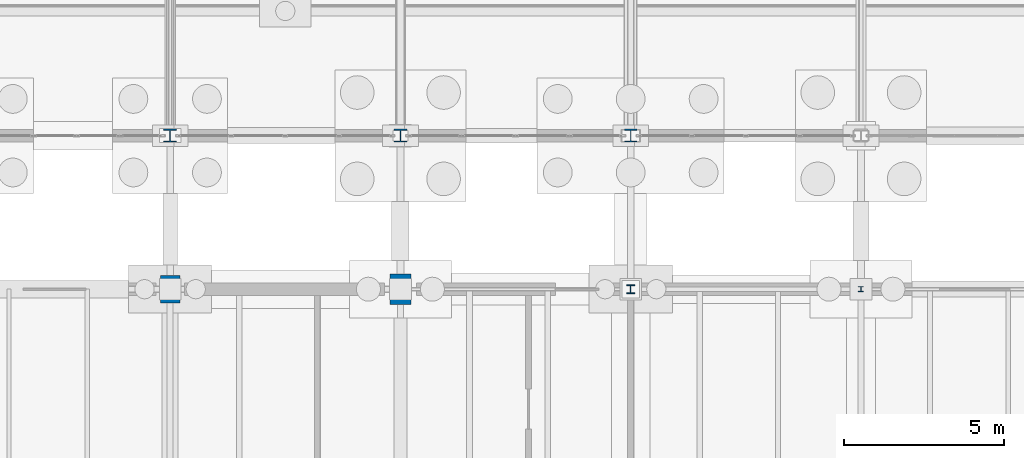
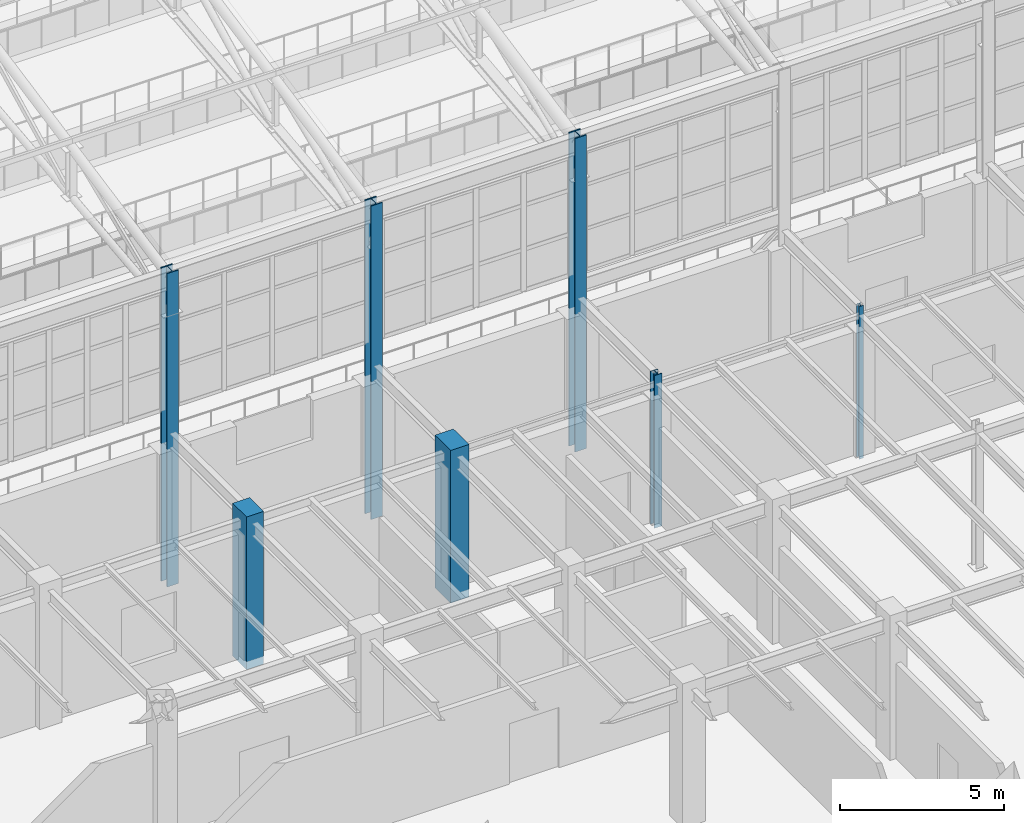
# One storey, part 33 of 293: 7 columns.
"""IFC4 building model written with IfcOpenShell, lengths in metres."""

from ifc_helpers import new_model, si_unit, direction, frame, origin, origin_2d, place, context, subcontext, project, spatial, rectangle, i_section, extrude, material, material_profile, profile_set, type_object, element, save


model = new_model("IFC4")

# Units and contexts
model_context = context("Model", 3, precision=1e-05, world=origin(), true_north=direction((0.0, 1.0)))
body_context = subcontext(model_context, "Body", "Model", "MODEL_VIEW")
ifc_project = project(units=[si_unit("LENGTHUNIT", "METRE"), si_unit("AREAUNIT", "SQUARE_METRE"), si_unit("VOLUMEUNIT", "CUBIC_METRE"), si_unit("PLANEANGLEUNIT", "RADIAN"), si_unit("MASSUNIT", "GRAM", prefix="KILO")], contexts=[model_context])

# Site, building, storey
site_placement = place(None, origin())
site = spatial("IfcSite", under=ifc_project, at=site_placement, CompositionType="ELEMENT")
building_placement = place(site_placement, origin())
building = spatial("IfcBuilding", under=site, at=building_placement, Name="Kemerveld Promenade Tramway Depot", CompositionType="ELEMENT")
storey_placement = place(building_placement, origin())
storey = spatial("IfcBuildingStorey", under=building, at=storey_placement, Name="L00", CompositionType="ELEMENT", Elevation=0.0)

# Columns
ifc_material_1 = material(Name="Concrete C40/50", Category="concrete")
ifc_material_profile_1 = material_profile(ifc_material_1, rectangle(XDim=0.60009765625, YDim=0.85009765625, at=origin_2d()), Name="RC-PIER-850x600")
ifc_profile_set_1 = profile_set([ifc_material_profile_1], Name="Concrete C40/50")
column_type_1 = type_object("IfcColumnType", Name="COL-RC11", PredefinedType="COLUMN", material=ifc_profile_set_1)
column_1_placement = place(storey_placement, frame((129.60009765625, 79.199951171875, -0.300048828125), z_axis=(0.0, 0.0, 1.0), x_axis=(1.0, 0.0, 0.0)))
element("IfcColumn", 1, at=column_1_placement, inside=storey, type_object=column_type_1, Name="COL-L00-19-M", PredefinedType="COLUMN", context=body_context, shape_type="SweptSolid", body=[
    extrude(rectangle(XDim=0.60009765625, YDim=0.85009765625, at=origin_2d()), origin(), (0.0, 0.0, 1.0), 5.699951171875),
])
ifc_material_profile_2 = material_profile(ifc_material_1, rectangle(XDim=0.64990234375, YDim=0.949951171875, at=origin_2d()), Name="RC-PIER-950x650")
ifc_profile_set_2 = profile_set([ifc_material_profile_2], Name="Concrete C40/50")
column_type_2 = type_object("IfcColumnType", Name="COL-RC12", PredefinedType="COLUMN", material=ifc_profile_set_2)
column_2_placement = place(storey_placement, frame((136.800048828125, 79.199951171875, -0.300048828125), z_axis=(0.0, 0.0, 1.0), x_axis=(1.0, 0.0, 0.0)))
element("IfcColumn", 2, at=column_2_placement, inside=storey, type_object=column_type_2, Name="COL-L00-20-M", PredefinedType="COLUMN", context=body_context, shape_type="SweptSolid", body=[
    extrude(rectangle(XDim=0.64990234375, YDim=0.949951171875, at=origin_2d()), origin(), (0.0, 0.0, 1.0), 5.699951171875),
])
ifc_material_2 = material(Name="Steel S355", Category="steel")
ifc_material_profile_3 = material_profile(ifc_material_2, i_section(OverallWidth=0.403076171875, OverallDepth=0.406494140625, WebThickness=0.026611328125, FlangeThickness=0.04296875, FilletRadius=0.01513671875, at=origin_2d()), Name="356x406x340 UC")
ifc_profile_set_3 = profile_set([ifc_material_profile_3], Name="Steel S355")
column_type_3 = type_object("IfcColumnType", Name="COL-S01", PredefinedType="COLUMN", material=ifc_profile_set_3)
for number, where, z_axis, x_axis, name in (
    (3, (129.60009765625, 84.0, -0.300048828125), (0.0, 0.0, 1.0), (1.0, 0.0, 0.0), "COL-L00-19-N"),
    (4, (136.800048828125, 84.0, -0.300048828125), (0.0, 0.0, 1.0), (1.0, 0.0, 0.0), "COL-L00-20-N"),
    (5, (144.0, 84.0, -0.300048828125), (0.0, 0.0, 1.0), (1.0, 0.0, 0.0), "COL-L00-21-N"),
):
    element("IfcColumn", number, at=place(storey_placement, frame(where, z_axis=z_axis, x_axis=x_axis)), inside=storey, type_object=column_type_3, Name=name, PredefinedType="COLUMN", context=body_context, shape_type="SweptSolid", body=[
        extrude(i_section(OverallWidth=0.403076171875, OverallDepth=0.406494140625, WebThickness=0.026611328125, FlangeThickness=0.04296875, FilletRadius=0.01513671875, at=origin_2d()), origin(), (0.0, 0.0, 1.0), 11.699951171875),
    ])
ifc_material_profile_4 = material_profile(ifc_material_2, i_section(OverallWidth=0.26123046875, OverallDepth=0.2763671875, WebThickness=0.015380859375, FlangeThickness=0.025390625, FilletRadius=0.0126953125, at=origin_2d()), Name="254x254x132 UC")
ifc_profile_set_4 = profile_set([ifc_material_profile_4], Name="Steel S355")
column_type_4 = type_object("IfcColumnType", Name="COL-S07", PredefinedType="COLUMN", material=ifc_profile_set_4)
column_3_placement = place(storey_placement, frame((144.0, 79.199951171875, -0.300048828125), z_axis=(0.0, 0.0, 1.0), x_axis=(1.0, 0.0, 0.0)))
element("IfcColumn", 6, at=column_3_placement, inside=storey, type_object=column_type_4, Name="COL-L00-21-M", PredefinedType="COLUMN", context=body_context, shape_type="SweptSolid", body=[
    extrude(i_section(OverallWidth=0.26123046875, OverallDepth=0.2763671875, WebThickness=0.015380859375, FlangeThickness=0.025390625, FilletRadius=0.0126953125, at=origin_2d()), origin(), (0.0, 0.0, 1.0), 5.699951171875),
])
ifc_material_profile_5 = material_profile(ifc_material_2, i_section(OverallWidth=0.154296875, OverallDepth=0.161865234375, WebThickness=0.008056640625, FlangeThickness=0.011474609375, FilletRadius=0.007568359375, at=origin_2d()), Name="152x152x37 UC")
ifc_profile_set_5 = profile_set([ifc_material_profile_5], Name="Steel S355")
column_type_5 = type_object("IfcColumnType", Name="COL-S12", PredefinedType="COLUMN", material=ifc_profile_set_5)
column_4_placement = place(storey_placement, frame((151.199951171875, 79.199951171875, -0.300048828125), z_axis=(0.0, 0.0, 1.0), x_axis=(1.0, 0.0, 0.0)))
element("IfcColumn", 7, at=column_4_placement, inside=storey, type_object=column_type_5, Name="COL-L00-22-M", PredefinedType="COLUMN", context=body_context, shape_type="SweptSolid", body=[
    extrude(i_section(OverallWidth=0.154296875, OverallDepth=0.161865234375, WebThickness=0.008056640625, FlangeThickness=0.011474609375, FilletRadius=0.007568359375, at=origin_2d()), origin(), (0.0, 0.0, 1.0), 5.699951171875),
])

save(model, "model.ifc")
